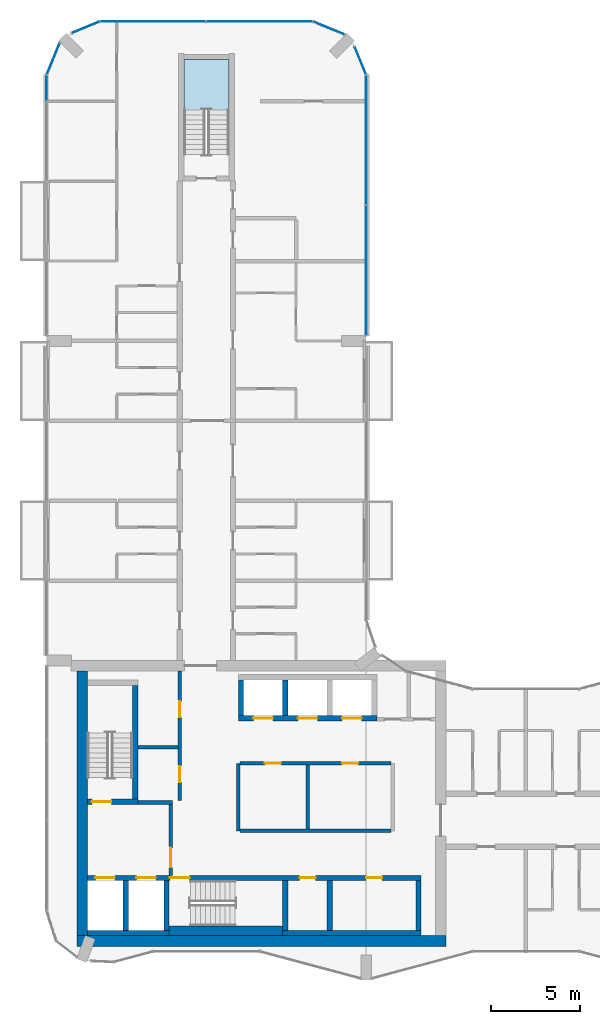
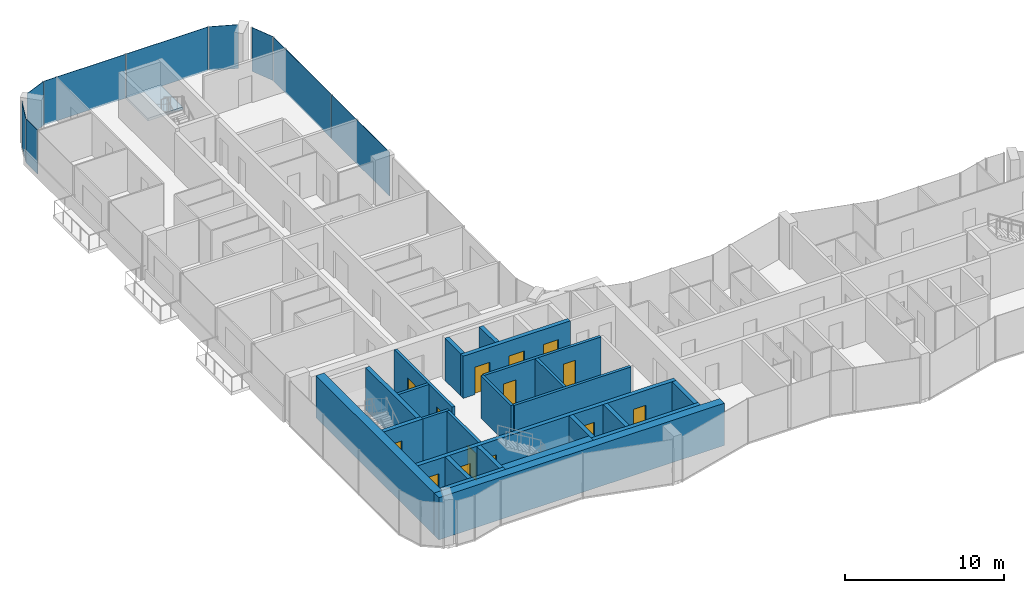
# One storey, part 9 of 16: 24 walls, 14 doors, 9 plates, 1 slab, 14 openings, 8 elements without a shape of their own.
"""IFC4 building model written with IfcOpenShell, lengths in metres."""

from ifc_helpers import new_model, si_unit, direction, frame, frame_2d, origin, origin_2d, place, context, subcontext, project, spatial, polyline, rectangle, outline, extrude, material, layer, layer_set, type_object, element, fill, aggregate, save


model = new_model("IFC4")

# Units and contexts
model_context = context("Model", 3, precision=1e-05, world=origin(), true_north=direction((0.0, 1.0)))
body_context = subcontext(model_context, "Body", "Model", "MODEL_VIEW")
ifc_project = project(units=[si_unit("LENGTHUNIT", "METRE"), si_unit("AREAUNIT", "SQUARE_METRE"), si_unit("VOLUMEUNIT", "CUBIC_METRE"), si_unit("PLANEANGLEUNIT", "RADIAN"), si_unit("MASSUNIT", "GRAM", prefix="KILO")], contexts=[model_context])

# Site, building, storey
site_placement = place(None, origin())
site = spatial("IfcSite", under=ifc_project, at=site_placement, CompositionType="ELEMENT")
building_placement = place(site_placement, origin())
building = spatial("IfcBuilding", under=site, at=building_placement, Name="Plateau Cross Towers", CompositionType="ELEMENT")
storey_placement = place(building_placement, frame((0.0, 0.0, 163.89990234375)))
storey = spatial("IfcBuildingStorey", under=building, at=storey_placement, Name="L42", CompositionType="ELEMENT", Elevation=163.89990234375)

# Curtain wall, plates
ifc_material_1 = material(Name="Dark low-iron glass", Category="glass")
ifc_layer_1 = layer(ifc_material_1, 0.239990234375)
ifc_layer_set_1 = layer_set([ifc_layer_1], Name="Dark low-iron glass")
curtain_wall_type = type_object("IfcCurtainWallType", Name="Curtain wall flush unitised CW-B", PredefinedType="NOTDEFINED", material=ifc_layer_set_1)
curtain_wall_1_placement = place(storey_placement, origin())
curtain_wall_1 = element("IfcCurtainWall", 1, at=curtain_wall_1_placement, inside=storey, type_object=curtain_wall_type, Name="ENV/A/L42/A180_363", PredefinedType="NOTDEFINED")
ifc_layer_2 = layer(ifc_material_1, 0.031982421875)
ifc_layer_set_2 = layer_set([ifc_layer_2], Name="Dark low-iron glass")
plate_type = type_object("IfcPlateType", Name="Glass panel 32 flush unitised", PredefinedType="CURTAIN_PANEL", material=ifc_layer_set_2)
plate_1_placement = place(storey_placement, frame((18.0, 39.97509765625, -0.1298828125), z_axis=(0.0, 0.0, 1.0), x_axis=(0.0, 1.0, 0.0)))
plate_1 = element("IfcPlate", 2, at=plate_1_placement, type_object=plate_type, Name="CW-B panel 1", PredefinedType="CURTAIN_PANEL", context=body_context, shape_type="SweptSolid", body=[
    extrude(rectangle(XDim=7.2900390625, YDim=0.031982421875, at=origin_2d()), origin(), (0.0, 0.0, 1.0), 3.3798828125),
])
plate_2_placement = place(storey_placement, frame((18.0, 47.324951171875, -0.1298828125), z_axis=(0.0, 0.0, 1.0), x_axis=(0.0, 1.0, 0.0)))
plate_2 = element("IfcPlate", 3, at=plate_2_placement, type_object=plate_type, Name="CW-B panel 2", PredefinedType="CURTAIN_PANEL", context=body_context, shape_type="SweptSolid", body=[
    extrude(rectangle(XDim=7.2900390625, YDim=0.031982421875, at=origin_2d()), origin(), (0.0, 0.0, 1.0), 3.3798828125),
])
aggregate(curtain_wall_1, [plate_1, plate_2])

# Curtain wall, plate
curtain_wall_2_placement = place(storey_placement, origin())
curtain_wall_2 = element("IfcCurtainWall", 4, at=curtain_wall_2_placement, inside=storey, type_object=curtain_wall_type, Name="ENV/A/L42/A180_510", PredefinedType="NOTDEFINED")
plate_3_placement = place(storey_placement, frame((17.66943359375, 51.79833984375, -0.1298828125), z_axis=(0.0, 0.0, 1.0), x_axis=(-0.382683612978, 0.923879457699, 0.0)))
plate_3 = element("IfcPlate", 5, at=plate_3_placement, type_object=plate_type, Name="CW-B panel 1", PredefinedType="CURTAIN_PANEL", context=body_context, shape_type="SweptSolid", body=[
    extrude(rectangle(XDim=1.668212890625, YDim=0.031982421875, at=origin_2d()), origin(), (0.0, 0.0, 1.0), 3.3798828125),
])
aggregate(curtain_wall_2, [plate_3])

curtain_wall_3_placement = place(storey_placement, origin())
curtain_wall_3 = element("IfcCurtainWall", 6, at=curtain_wall_3_placement, inside=storey, type_object=curtain_wall_type, Name="ENV/A/L42/A168_533", PredefinedType="NOTDEFINED")
plate_4_placement = place(storey_placement, frame((15.90283203125, 53.6259765625, -0.1298828125), z_axis=(0.0, 0.0, 1.0), x_axis=(-0.923879457699, 0.382683612978, 0.0)))
plate_4 = element("IfcPlate", 7, at=plate_4_placement, type_object=plate_type, Name="CW-B panel 1", PredefinedType="CURTAIN_PANEL", context=body_context, shape_type="SweptSolid", body=[
    extrude(rectangle(XDim=1.894775390625, YDim=0.031982421875, at=origin_2d()), origin(), (0.0, 0.0, 1.0), 3.3798828125),
])
aggregate(curtain_wall_3, [plate_4])

# Curtain wall, plates
curtain_wall_4_placement = place(storey_placement, origin())
curtain_wall_4 = element("IfcCurtainWall", 8, at=curtain_wall_4_placement, inside=storey, type_object=curtain_wall_type, Name="ENV/A/L42/A150_540", PredefinedType="NOTDEFINED")
plate_5_placement = place(storey_placement, frame((12.0, 54.0, -0.1298828125), z_axis=(0.0, 0.0, 1.0), x_axis=(-1.0, 0.0, 0.0)))
plate_5 = element("IfcPlate", 9, at=plate_5_placement, type_object=plate_type, Name="CW-B panel 1", PredefinedType="CURTAIN_PANEL", context=body_context, shape_type="SweptSolid", body=[
    extrude(rectangle(XDim=5.93994140625, YDim=0.031982421875, at=origin_2d()), origin(), (0.0, 0.0, 1.0), 3.3798828125),
])
plate_6_placement = place(storey_placement, frame((6.0, 54.0, -0.1298828125), z_axis=(0.0, 0.0, 1.0), x_axis=(-1.0, 0.0, 0.0)))
plate_6 = element("IfcPlate", 10, at=plate_6_placement, type_object=plate_type, Name="CW-B panel 2", PredefinedType="CURTAIN_PANEL", context=body_context, shape_type="SweptSolid", body=[
    extrude(rectangle(XDim=5.93994140625, YDim=0.031982421875, at=origin_2d()), origin(), (0.0, 0.0, 1.0), 3.3798828125),
])
aggregate(curtain_wall_4, [plate_5, plate_6])

# Curtain wall, plate
curtain_wall_5_placement = place(storey_placement, origin())
curtain_wall_5 = element("IfcCurtainWall", 11, at=curtain_wall_5_placement, inside=storey, type_object=curtain_wall_type, Name="ENV/A/L42/A30_540", PredefinedType="NOTDEFINED")
plate_7_placement = place(storey_placement, frame((2.20166015625, 53.66943359375, -0.1298828125), z_axis=(0.0, 0.0, 1.0), x_axis=(-0.923879457699, -0.382683612978, 0.0)))
plate_7 = element("IfcPlate", 12, at=plate_7_placement, type_object=plate_type, Name="CW-B panel 1", PredefinedType="CURTAIN_PANEL", context=body_context, shape_type="SweptSolid", body=[
    extrude(rectangle(XDim=1.668212890625, YDim=0.031982421875, at=origin_2d()), origin(), (0.0, 0.0, 1.0), 3.3798828125),
])
aggregate(curtain_wall_5, [plate_7])

curtain_wall_6_placement = place(storey_placement, origin())
curtain_wall_6 = element("IfcCurtainWall", 13, at=curtain_wall_6_placement, inside=storey, type_object=curtain_wall_type, Name="ENV/A/L42/A7_528", PredefinedType="NOTDEFINED")
plate_8_placement = place(storey_placement, frame((0.3740234375, 51.90283203125, -0.1298828125), z_axis=(0.0, 0.0, 1.0), x_axis=(-0.382683612978, -0.923879457699, 0.0)))
plate_8 = element("IfcPlate", 14, at=plate_8_placement, type_object=plate_type, Name="CW-B panel 1", PredefinedType="CURTAIN_PANEL", context=body_context, shape_type="SweptSolid", body=[
    extrude(rectangle(XDim=1.894775390625, YDim=0.031982421875, at=origin_2d()), origin(), (0.0, 0.0, 1.0), 3.3798828125),
])
aggregate(curtain_wall_6, [plate_8])

curtain_wall_7_placement = place(storey_placement, origin())
curtain_wall_7 = element("IfcCurtainWall", 15, at=curtain_wall_7_placement, inside=storey, type_object=curtain_wall_type, Name="ENV/A/L42/A0_510", PredefinedType="NOTDEFINED")
plate_9_placement = place(storey_placement, frame((0.0, 50.25, -0.1298828125), z_axis=(0.0, 0.0, 1.0), x_axis=(0.0, -1.0, 0.0)))
plate_9 = element("IfcPlate", 16, at=plate_9_placement, type_object=plate_type, Name="CW-B panel 1", PredefinedType="CURTAIN_PANEL", context=body_context, shape_type="SweptSolid", body=[
    extrude(rectangle(XDim=1.43994140625, YDim=0.031982421875, at=origin_2d()), origin(), (0.0, 0.0, 1.0), 3.3798828125),
])
aggregate(curtain_wall_7, [plate_9])

# Stair, slab
ifc_material_2 = material(Name="Concrete C40/50", Category="concrete")
stair_type = type_object("IfcStairType", Name="ST-TWR", PredefinedType="HALF_TURN_STAIR", material=ifc_material_2)
stair_placement = place(storey_placement, origin())
stair = element("IfcStair", 17, at=stair_placement, inside=storey, type_object=stair_type, Name="L42 Protected Exit Stair N", PredefinedType="HALF_TURN_STAIR")
ifc_layer_3 = layer(ifc_material_2, 0.199951171875)
ifc_layer_set_3 = layer_set([ifc_layer_3], Name="Concrete C40/50")
slab_type = type_object("IfcSlabType", Name="SL-LANDING", PredefinedType="LANDING", material=ifc_layer_set_3)
slab_placement = place(storey_placement, frame((0.0, 0.0, 1.550048828125)))
slab = element("IfcSlab", 18, at=slab_placement, type_object=slab_type, Name="ES-N landing 1", PredefinedType="LANDING", context=body_context, shape_type="SweptSolid", body=[
    extrude(outline(polyline([(10.27490234375, 49.02001953125), (10.27490234375, 51.85009765625), (7.72509765625, 51.85009765625), (7.72509765625, 49.02001953125), (10.27490234375, 49.02001953125)])), origin(), (0.0, 0.0, 1.0), 0.199951171875),
])
aggregate(stair, [slab])

# Wall, opening, door
ifc_material_3 = material(Name="Concrete block, plastered both sides", Category="concrete")
ifc_layer_4 = layer(ifc_material_3, 0.199951171875)
ifc_layer_set_4 = layer_set([ifc_layer_4], Name="Concrete block, plastered both sides")
wall_type_1 = type_object("IfcWallType", Name="Core partition 200", PredefinedType="PARTITIONING", material=ifc_layer_set_4)
wall_1_placement = place(storey_placement, frame((7.0, 5.89990234375, 0.0), z_axis=(0.0, 0.0, 1.0), x_axis=(0.0, 1.0, 0.0)))
wall_1 = element("IfcWall", 19, at=wall_1_placement, inside=storey, type_object=wall_type_1, Name="Core partition", PredefinedType="PARTITIONING", context=body_context, shape_type="SweptSolid", body=[
    extrude(rectangle(XDim=4.0, YDim=0.199951171875, at=frame_2d((2.0, 0.0))), origin(), (0.0, 0.0, 1.0), 3.25),
])
opening_1_placement = place(wall_1_placement, frame((0.449951171875, 0.0, 0.0)))
opening_1 = element("IfcOpeningElement", 20, at=opening_1_placement, cuts=wall_1, Name="Opening FFD", PredefinedType="OPENING", context=body_context, shape_type="SweptSolid", body=[
    extrude(rectangle(XDim=1.10009765625, YDim=2.10009765625, at=frame_2d((0.550048828125, 1.050048828125))), frame((0.0, 0.10986328125, 0.0), z_axis=(0.0, -1.0, 0.0), x_axis=(1.0, 0.0, 0.0)), (0.0, 0.0, 1.0), 0.219970703125),
])
ifc_material_4 = material(Name="Steel, fire-resisting leaf", Category="steel")
door_type_1 = type_object("IfcDoorType", Name="Firefighting lobby door 1100", OperationType="NOTDEFINED", PredefinedType="DOOR", material=ifc_material_4)
door_1_placement = place(opening_1_placement, origin())
door_1 = element("IfcDoor", 21, at=door_1_placement, inside=storey, type_object=door_type_1, Name="Firefighting lobby door FFD", OperationType="SINGLE_SWING_LEFT", OverallHeight=2.10009765625, OverallWidth=1.10009765625, PredefinedType="DOOR", context=body_context, shape_type="SweptSolid", body=[
    extrude(rectangle(XDim=1.10009765625, YDim=2.10009765625, at=frame_2d((0.550048828125, 1.050048828125))), frame((0.0, 0.02490234375, 0.0), z_axis=(0.0, -1.0, 0.0), x_axis=(1.0, 0.0, 0.0)), (0.0, 0.0, 1.0), 0.050048828125),
])
fill(opening_1, door_1)

# Walls
wall_2_placement = place(storey_placement, frame((5.14990234375, 10.0, 0.0), z_axis=(0.0, 0.0, 1.0), x_axis=(1.0, 0.0, 0.0)))
element("IfcWall", 22, at=wall_2_placement, inside=storey, type_object=wall_type_1, Name="Core partition", PredefinedType="PARTITIONING", context=body_context, shape_type="SweptSolid", body=[
    extrude(rectangle(XDim=1.9501953125, YDim=0.199951171875, at=frame_2d((0.97509765625, 0.0))), origin(), (0.0, 0.0, 1.0), 3.25),
])
wall_3_placement = place(storey_placement, frame((10.800048828125, 8.39990234375, 0.0), z_axis=(0.0, 0.0, 1.0), x_axis=(0.0, 1.0, 0.0)))
element("IfcWall", 23, at=wall_3_placement, inside=storey, type_object=wall_type_1, Name="Core partition", PredefinedType="PARTITIONING", context=body_context, shape_type="SweptSolid", body=[
    extrude(rectangle(XDim=3.800048828125, YDim=0.199951171875, at=frame_2d((1.89990234375, 0.0))), origin(), (0.0, 0.0, 1.0), 3.25),
])
wall_4_placement = place(storey_placement, frame((10.89990234375, 8.39990234375, 0.0), z_axis=(0.0, 0.0, 1.0), x_axis=(1.0, 0.0, 0.0)))
element("IfcWall", 24, at=wall_4_placement, inside=storey, type_object=wall_type_1, Name="Core partition", PredefinedType="PARTITIONING", context=body_context, shape_type="SweptSolid", body=[
    extrude(rectangle(XDim=8.5, YDim=0.199951171875, at=frame_2d((4.25, 0.0))), origin(), (0.0, 0.0, 1.0), 3.25),
])

# Wall, openings, doors
wall_5_placement = place(storey_placement, frame((10.89990234375, 12.199951171875, 0.0), z_axis=(0.0, 0.0, 1.0), x_axis=(1.0, 0.0, 0.0)))
wall_5 = element("IfcWall", 25, at=wall_5_placement, inside=storey, type_object=wall_type_1, Name="Core partition", PredefinedType="PARTITIONING", context=body_context, shape_type="SweptSolid", body=[
    extrude(rectangle(XDim=8.5, YDim=0.199951171875, at=frame_2d((4.25, 0.0))), origin(), (0.0, 0.0, 1.0), 3.25),
])
opening_2_placement = place(wall_5_placement, frame((1.39990234375, 0.0, 0.0)))
opening_2 = element("IfcOpeningElement", 26, at=opening_2_placement, cuts=wall_5, Name="Opening RD1", PredefinedType="OPENING", context=body_context, shape_type="SweptSolid", body=[
    extrude(rectangle(XDim=0.89990234375, YDim=2.10009765625, at=frame_2d((0.449951171875, 1.050048828125))), frame((0.0, 0.10986328125, 0.0), z_axis=(0.0, -1.0, 0.0), x_axis=(1.0, 0.0, 0.0)), (0.0, 0.0, 1.0), 0.219970703125),
])
opening_3_placement = place(wall_5_placement, frame((5.75, 0.0, 0.0)))
opening_3 = element("IfcOpeningElement", 27, at=opening_3_placement, cuts=wall_5, Name="Opening RD1", PredefinedType="OPENING", context=body_context, shape_type="SweptSolid", body=[
    extrude(rectangle(XDim=0.89990234375, YDim=2.10009765625, at=frame_2d((0.449951171875, 1.050048828125))), frame((0.0, 0.10986328125, 0.0), z_axis=(0.0, -1.0, 0.0), x_axis=(1.0, 0.0, 0.0)), (0.0, 0.0, 1.0), 0.219970703125),
])
ifc_material_5 = material(Name="Timber, fire-resisting leaf", Category="wood")
door_type_2 = type_object("IfcDoorType", Name="Core service door 900", OperationType="NOTDEFINED", PredefinedType="DOOR", material=ifc_material_5)
door_2_placement = place(opening_2_placement, origin())
door_2 = element("IfcDoor", 28, at=door_2_placement, inside=storey, type_object=door_type_2, Name="Core service door RD1", OperationType="SINGLE_SWING_LEFT", OverallHeight=2.10009765625, OverallWidth=0.89990234375, PredefinedType="DOOR", context=body_context, shape_type="SweptSolid", body=[
    extrude(rectangle(XDim=0.89990234375, YDim=2.10009765625, at=frame_2d((0.449951171875, 1.050048828125))), frame((0.0, 0.02490234375, 0.0), z_axis=(0.0, -1.0, 0.0), x_axis=(1.0, 0.0, 0.0)), (0.0, 0.0, 1.0), 0.050048828125),
])
fill(opening_2, door_2)
door_3_placement = place(opening_3_placement, origin())
door_3 = element("IfcDoor", 29, at=door_3_placement, inside=storey, type_object=door_type_2, Name="Core service door RD1", OperationType="SINGLE_SWING_LEFT", OverallHeight=2.10009765625, OverallWidth=0.89990234375, PredefinedType="DOOR", context=body_context, shape_type="SweptSolid", body=[
    extrude(rectangle(XDim=0.89990234375, YDim=2.10009765625, at=frame_2d((0.449951171875, 1.050048828125))), frame((0.0, 0.02490234375, 0.0), z_axis=(0.0, -1.0, 0.0), x_axis=(1.0, 0.0, 0.0)), (0.0, 0.0, 1.0), 0.050048828125),
])
fill(opening_3, door_3)

# Wall
wall_6_placement = place(storey_placement, frame((14.699951171875, 8.5, 0.0), z_axis=(0.0, 0.0, 1.0), x_axis=(0.0, 1.0, 0.0)))
element("IfcWall", 30, at=wall_6_placement, inside=storey, type_object=wall_type_1, Name="Core partition", PredefinedType="PARTITIONING", context=body_context, shape_type="SweptSolid", body=[
    extrude(rectangle(XDim=3.60009765625, YDim=0.199951171875, at=frame_2d((1.800048828125, 0.0))), origin(), (0.0, 0.0, 1.0), 3.25),
])

# Wall, openings, doors
wall_7_placement = place(storey_placement, frame((7.5, 10.10009765625, 0.0), z_axis=(0.0, 0.0, 1.0), x_axis=(0.0, 1.0, 0.0)))
wall_7 = element("IfcWall", 31, at=wall_7_placement, inside=storey, type_object=wall_type_1, Name="Core partition", PredefinedType="PARTITIONING", context=body_context, shape_type="SweptSolid", body=[
    extrude(rectangle(XDim=7.2998046875, YDim=0.199951171875, at=frame_2d((3.64990234375, 0.0))), origin(), (0.0, 0.0, 1.0), 3.25),
])
opening_4_placement = place(wall_7_placement, frame((1.050048828125, 0.0, 0.0)))
opening_4 = element("IfcOpeningElement", 32, at=opening_4_placement, cuts=wall_7, Name="Opening RD1", PredefinedType="OPENING", context=body_context, shape_type="SweptSolid", body=[
    extrude(rectangle(XDim=0.89990234375, YDim=2.10009765625, at=frame_2d((0.449951171875, 1.050048828125))), frame((0.0, 0.10986328125, 0.0), z_axis=(0.0, -1.0, 0.0), x_axis=(1.0, 0.0, 0.0)), (0.0, 0.0, 1.0), 0.219970703125),
])
opening_5_placement = place(wall_7_placement, frame((4.699951171875, 0.0, 0.0)))
opening_5 = element("IfcOpeningElement", 33, at=opening_5_placement, cuts=wall_7, Name="Opening RD1", PredefinedType="OPENING", context=body_context, shape_type="SweptSolid", body=[
    extrude(rectangle(XDim=0.89990234375, YDim=2.10009765625, at=frame_2d((0.449951171875, 1.050048828125))), frame((0.0, 0.10986328125, 0.0), z_axis=(0.0, -1.0, 0.0), x_axis=(1.0, 0.0, 0.0)), (0.0, 0.0, 1.0), 0.219970703125),
])
door_4_placement = place(opening_4_placement, origin())
door_4 = element("IfcDoor", 34, at=door_4_placement, inside=storey, type_object=door_type_2, Name="Core service door RD1", OperationType="SINGLE_SWING_RIGHT", OverallHeight=2.10009765625, OverallWidth=0.89990234375, PredefinedType="DOOR", context=body_context, shape_type="SweptSolid", body=[
    extrude(rectangle(XDim=0.89990234375, YDim=2.10009765625, at=frame_2d((0.449951171875, 1.050048828125))), frame((0.0, 0.02490234375, 0.0), z_axis=(0.0, -1.0, 0.0), x_axis=(1.0, 0.0, 0.0)), (0.0, 0.0, 1.0), 0.050048828125),
])
fill(opening_4, door_4)
door_5_placement = place(opening_5_placement, origin())
door_5 = element("IfcDoor", 35, at=door_5_placement, inside=storey, type_object=door_type_2, Name="Core service door RD1", OperationType="SINGLE_SWING_RIGHT", OverallHeight=2.10009765625, OverallWidth=0.89990234375, PredefinedType="DOOR", context=body_context, shape_type="SweptSolid", body=[
    extrude(rectangle(XDim=0.89990234375, YDim=2.10009765625, at=frame_2d((0.449951171875, 1.050048828125))), frame((0.0, 0.02490234375, 0.0), z_axis=(0.0, -1.0, 0.0), x_axis=(1.0, 0.0, 0.0)), (0.0, 0.0, 1.0), 0.050048828125),
])
fill(opening_5, door_5)

# Walls
wall_8_placement = place(storey_placement, frame((5.14990234375, 13.10009765625, 0.0), z_axis=(0.0, 0.0, 1.0), x_axis=(1.0, 0.0, 0.0)))
element("IfcWall", 36, at=wall_8_placement, inside=storey, type_object=wall_type_1, Name="Core partition", PredefinedType="PARTITIONING", context=body_context, shape_type="SweptSolid", body=[
    extrude(rectangle(XDim=2.25, YDim=0.199951171875, at=frame_2d((1.125, 0.0))), origin(), (0.0, 0.0, 1.0), 3.25),
])
ifc_material_6 = material(Name="Concrete C60/75", Category="concrete")
ifc_layer_5 = layer(ifc_material_6, 0.300048828125)
ifc_layer_set_5 = layer_set([ifc_layer_5], Name="Concrete C60/75")
wall_type_2 = type_object("IfcWallType", Name="Core shaft wall 300", PredefinedType="SHEAR", material=ifc_layer_set_5)
wall_9_placement = place(storey_placement, frame((2.300048828125, 2.64990234375, 0.0), z_axis=(0.0, 0.0, 1.0), x_axis=(1.0, 0.0, 0.0)))
element("IfcWall", 37, at=wall_9_placement, inside=storey, type_object=wall_type_2, Name="A-sb-back1@L42", PredefinedType="SHEAR", context=body_context, shape_type="SweptSolid", body=[
    extrude(rectangle(XDim=4.599853515625, YDim=0.300048828125, at=frame_2d((2.2998046875, 0.0))), origin(), (0.0, 0.0, 1.0), 3.25),
])
wall_10_placement = place(storey_placement, frame((13.300048828125, 2.64990234375, 0.0), z_axis=(0.0, 0.0, 1.0), x_axis=(1.0, 0.0, 0.0)))
element("IfcWall", 38, at=wall_10_placement, inside=storey, type_object=wall_type_2, Name="A-sb-back3@L42", PredefinedType="SHEAR", context=body_context, shape_type="SweptSolid", body=[
    extrude(rectangle(XDim=7.800048828125, YDim=0.300048828125, at=frame_2d((3.89990234375, 0.0))), origin(), (0.0, 0.0, 1.0), 3.25),
])
for number, where, z_axis, x_axis, name in (
    (39, (4.449951171875, 2.800048828125, 0.0), (0.0, 0.0, 1.0), (0.0, 1.0, 0.0), "A-sb-v1@L42"),
    (40, (6.75, 2.800048828125, 0.0), (0.0, 0.0, 1.0), (0.0, 1.0, 0.0), "A-sb-v2@L42"),
    (41, (13.449951171875, 2.800048828125, 0.0), (0.0, 0.0, 1.0), (0.0, 1.0, 0.0), "A-sb-v3@L42"),
    (42, (15.949951171875, 2.800048828125, 0.0), (0.0, 0.0, 1.0), (0.0, 1.0, 0.0), "A-sb-v4@L42"),
    (43, (20.949951171875, 2.800048828125, 0.0), (0.0, 0.0, 1.0), (0.0, 1.0, 0.0), "A-sb-v6@L42"),
):
    element("IfcWall", number, at=place(storey_placement, frame(where, z_axis=z_axis, x_axis=x_axis)), inside=storey, type_object=wall_type_2, Name=name, PredefinedType="SHEAR", context=body_context, shape_type="SweptSolid", body=[
        extrude(rectangle(XDim=2.800048828125, YDim=0.300048828125, at=frame_2d((1.39990234375, 0.0))), origin(), (0.0, 0.0, 1.0), 3.25),
    ])

# Wall, openings, doors
wall_11_placement = place(storey_placement, frame((2.300048828125, 5.75, 0.0), z_axis=(0.0, 0.0, 1.0), x_axis=(1.0, 0.0, 0.0)))
wall_11 = element("IfcWall", 44, at=wall_11_placement, inside=storey, type_object=wall_type_2, Name="A-sb-front@L42", PredefinedType="SHEAR", context=body_context, shape_type="SweptSolid", body=[
    extrude(rectangle(XDim=18.800048828125, YDim=0.300048828125, at=frame_2d((9.39990234375, 0.0))), origin(), (0.0, 0.0, 1.0), 3.25),
])
opening_6_placement = place(wall_11_placement, frame((4.64990234375, 0.0, 0.0)))
opening_6 = element("IfcOpeningElement", 45, at=opening_6_placement, cuts=wall_11, Name="Opening SD", PredefinedType="OPENING", context=body_context, shape_type="SweptSolid", body=[
    extrude(rectangle(XDim=1.10009765625, YDim=2.10009765625, at=frame_2d((0.550048828125, 1.050048828125))), frame((0.0, 0.159912109375, 0.0), z_axis=(0.0, -1.0, 0.0), x_axis=(1.0, 0.0, 0.0)), (0.0, 0.0, 1.0), 0.320068359375),
])
opening_7_placement = place(wall_11_placement, frame((0.449951171875, 0.0, 0.0)))
opening_7 = element("IfcOpeningElement", 46, at=opening_7_placement, cuts=wall_11, Name="Opening LD", PredefinedType="OPENING", context=body_context, shape_type="SweptSolid", body=[
    extrude(rectangle(XDim=1.10009765625, YDim=2.10009765625, at=frame_2d((0.550048828125, 1.050048828125))), frame((0.0, 0.159912109375, 0.0), z_axis=(0.0, -1.0, 0.0), x_axis=(1.0, 0.0, 0.0)), (0.0, 0.0, 1.0), 0.320068359375),
])
opening_8_placement = place(wall_11_placement, frame((2.75, 0.0, 0.0)))
opening_8 = element("IfcOpeningElement", 47, at=opening_8_placement, cuts=wall_11, Name="Opening LD", PredefinedType="OPENING", context=body_context, shape_type="SweptSolid", body=[
    extrude(rectangle(XDim=1.10009765625, YDim=2.10009765625, at=frame_2d((0.550048828125, 1.050048828125))), frame((0.0, 0.159912109375, 0.0), z_axis=(0.0, -1.0, 0.0), x_axis=(1.0, 0.0, 0.0)), (0.0, 0.0, 1.0), 0.320068359375),
])
opening_9_placement = place(wall_11_placement, frame((11.949951171875, 0.0, 0.0)))
opening_9 = element("IfcOpeningElement", 48, at=opening_9_placement, cuts=wall_11, Name="Opening RD2", PredefinedType="OPENING", context=body_context, shape_type="SweptSolid", body=[
    extrude(rectangle(XDim=0.89990234375, YDim=2.10009765625, at=frame_2d((0.449951171875, 1.050048828125))), frame((0.0, 0.159912109375, 0.0), z_axis=(0.0, -1.0, 0.0), x_axis=(1.0, 0.0, 0.0)), (0.0, 0.0, 1.0), 0.320068359375),
])
opening_10_placement = place(wall_11_placement, frame((15.699951171875, 0.0, 0.0)))
opening_10 = element("IfcOpeningElement", 49, at=opening_10_placement, cuts=wall_11, Name="Opening RD2", PredefinedType="OPENING", context=body_context, shape_type="SweptSolid", body=[
    extrude(rectangle(XDim=0.89990234375, YDim=2.10009765625, at=frame_2d((0.449951171875, 1.050048828125))), frame((0.0, 0.159912109375, 0.0), z_axis=(0.0, -1.0, 0.0), x_axis=(1.0, 0.0, 0.0)), (0.0, 0.0, 1.0), 0.320068359375),
])
door_type_3 = type_object("IfcDoorType", Name="Core riser door 900", OperationType="NOTDEFINED", PredefinedType="DOOR", material=ifc_material_4)
door_6_placement = place(opening_9_placement, origin())
door_6 = element("IfcDoor", 50, at=door_6_placement, inside=storey, type_object=door_type_3, Name="Core riser door RD2", OperationType="SINGLE_SWING_LEFT", OverallHeight=2.10009765625, OverallWidth=0.89990234375, PredefinedType="DOOR", context=body_context, shape_type="SweptSolid", body=[
    extrude(rectangle(XDim=0.89990234375, YDim=2.10009765625, at=frame_2d((0.449951171875, 1.050048828125))), frame((0.0, 0.02490234375, 0.0), z_axis=(0.0, -1.0, 0.0), x_axis=(1.0, 0.0, 0.0)), (0.0, 0.0, 1.0), 0.050048828125),
])
fill(opening_9, door_6)
door_7_placement = place(opening_10_placement, origin())
door_7 = element("IfcDoor", 51, at=door_7_placement, inside=storey, type_object=door_type_3, Name="Core riser door RD2", OperationType="SINGLE_SWING_LEFT", OverallHeight=2.10009765625, OverallWidth=0.89990234375, PredefinedType="DOOR", context=body_context, shape_type="SweptSolid", body=[
    extrude(rectangle(XDim=0.89990234375, YDim=2.10009765625, at=frame_2d((0.449951171875, 1.050048828125))), frame((0.0, 0.02490234375, 0.0), z_axis=(0.0, -1.0, 0.0), x_axis=(1.0, 0.0, 0.0)), (0.0, 0.0, 1.0), 0.050048828125),
])
fill(opening_10, door_7)
ifc_material_7 = material(Name="Stainless steel, fire-resisting sliding leaves", Category="steel")
door_type_4 = type_object("IfcDoorType", Name="Lift landing door 1100", OperationType="NOTDEFINED", PredefinedType="DOOR", material=ifc_material_7)
door_8_placement = place(opening_7_placement, origin())
door_8 = element("IfcDoor", 52, at=door_8_placement, inside=storey, type_object=door_type_4, Name="Lift landing door LD", OperationType="DOUBLE_DOOR_SLIDING", OverallHeight=2.10009765625, OverallWidth=1.10009765625, PredefinedType="DOOR", context=body_context, shape_type="SweptSolid", body=[
    extrude(rectangle(XDim=1.10009765625, YDim=2.10009765625, at=frame_2d((0.550048828125, 1.050048828125))), frame((0.0, 0.02490234375, 0.0), z_axis=(0.0, -1.0, 0.0), x_axis=(1.0, 0.0, 0.0)), (0.0, 0.0, 1.0), 0.050048828125),
])
fill(opening_7, door_8)
door_9_placement = place(opening_8_placement, origin())
door_9 = element("IfcDoor", 53, at=door_9_placement, inside=storey, type_object=door_type_4, Name="Lift landing door LD", OperationType="DOUBLE_DOOR_SLIDING", OverallHeight=2.10009765625, OverallWidth=1.10009765625, PredefinedType="DOOR", context=body_context, shape_type="SweptSolid", body=[
    extrude(rectangle(XDim=1.10009765625, YDim=2.10009765625, at=frame_2d((0.550048828125, 1.050048828125))), frame((0.0, 0.02490234375, 0.0), z_axis=(0.0, -1.0, 0.0), x_axis=(1.0, 0.0, 0.0)), (0.0, 0.0, 1.0), 0.050048828125),
])
fill(opening_8, door_9)
door_type_5 = type_object("IfcDoorType", Name="Stair door 1100", OperationType="NOTDEFINED", PredefinedType="DOOR", material=ifc_material_4)
door_10_placement = place(opening_6_placement, origin())
door_10 = element("IfcDoor", 54, at=door_10_placement, inside=storey, type_object=door_type_5, Name="Stair door SD", OperationType="SINGLE_SWING_LEFT", OverallHeight=2.10009765625, OverallWidth=1.10009765625, PredefinedType="DOOR", context=body_context, shape_type="SweptSolid", body=[
    extrude(rectangle(XDim=1.10009765625, YDim=2.10009765625, at=frame_2d((0.550048828125, 1.050048828125))), frame((0.0, 0.02490234375, 0.0), z_axis=(0.0, -1.0, 0.0), x_axis=(1.0, 0.0, 0.0)), (0.0, 0.0, 1.0), 0.050048828125),
])
fill(opening_6, door_10)

# Wall, opening, door
wall_12_placement = place(storey_placement, frame((2.300048828125, 10.050048828125, 0.0), z_axis=(0.0, 0.0, 1.0), x_axis=(1.0, 0.0, 0.0)))
wall_12 = element("IfcWall", 55, at=wall_12_placement, inside=storey, type_object=wall_type_2, Name="A-st1-S@L42", PredefinedType="SHEAR", context=body_context, shape_type="SweptSolid", body=[
    extrude(rectangle(XDim=2.849853515625, YDim=0.300048828125, at=frame_2d((1.4248046875, 0.0))), origin(), (0.0, 0.0, 1.0), 3.25),
])
opening_11_placement = place(wall_12_placement, frame((0.25, 0.0, 0.0)))
opening_11 = element("IfcOpeningElement", 56, at=opening_11_placement, cuts=wall_12, Name="Opening SD", PredefinedType="OPENING", context=body_context, shape_type="SweptSolid", body=[
    extrude(rectangle(XDim=1.10009765625, YDim=2.10009765625, at=frame_2d((0.550048828125, 1.050048828125))), frame((0.0, 0.159912109375, 0.0), z_axis=(0.0, -1.0, 0.0), x_axis=(1.0, 0.0, 0.0)), (0.0, 0.0, 1.0), 0.320068359375),
])
door_11_placement = place(opening_11_placement, origin())
door_11 = element("IfcDoor", 57, at=door_11_placement, inside=storey, type_object=door_type_5, Name="Stair door SD", OperationType="SINGLE_SWING_RIGHT", OverallHeight=2.10009765625, OverallWidth=1.10009765625, PredefinedType="DOOR", context=body_context, shape_type="SweptSolid", body=[
    extrude(rectangle(XDim=1.10009765625, YDim=2.10009765625, at=frame_2d((0.550048828125, 1.050048828125))), frame((0.0, 0.02490234375, 0.0), z_axis=(0.0, -1.0, 0.0), x_axis=(1.0, 0.0, 0.0)), (0.0, 0.0, 1.0), 0.050048828125),
])
fill(opening_11, door_11)

# Wall
wall_13_placement = place(storey_placement, frame((5.0, 10.199951171875, 0.0), z_axis=(0.0, 0.0, 1.0), x_axis=(0.0, 1.0, 0.0)))
element("IfcWall", 58, at=wall_13_placement, inside=storey, type_object=wall_type_2, Name="A-st1-E@L42", PredefinedType="SHEAR", context=body_context, shape_type="SweptSolid", body=[
    extrude(rectangle(XDim=6.400146484375, YDim=0.300048828125, at=frame_2d((3.2001953125, 0.0))), origin(), (0.0, 0.0, 1.0), 3.25),
])

# Wall, openings, doors
wall_14_placement = place(storey_placement, frame((10.800048828125, 14.75, 0.0), z_axis=(0.0, 0.0, 1.0), x_axis=(1.0, 0.0, 0.0)))
wall_14 = element("IfcWall", 59, at=wall_14_placement, inside=storey, type_object=wall_type_2, Name="A-nb-front@L42", PredefinedType="SHEAR", context=body_context, shape_type="SweptSolid", body=[
    extrude(rectangle(XDim=7.800048828125, YDim=0.300048828125, at=frame_2d((3.89990234375, 0.0))), origin(), (0.0, 0.0, 1.0), 3.25),
])
opening_12_placement = place(wall_14_placement, frame((0.85009765625, 0.0, 0.0)))
opening_12 = element("IfcOpeningElement", 60, at=opening_12_placement, cuts=wall_14, Name="Opening LD", PredefinedType="OPENING", context=body_context, shape_type="SweptSolid", body=[
    extrude(rectangle(XDim=1.10009765625, YDim=2.10009765625, at=frame_2d((0.550048828125, 1.050048828125))), frame((0.0, 0.159912109375, 0.0), z_axis=(0.0, -1.0, 0.0), x_axis=(1.0, 0.0, 0.0)), (0.0, 0.0, 1.0), 0.320068359375),
])
opening_13_placement = place(wall_14_placement, frame((3.35009765625, 0.0, 0.0)))
opening_13 = element("IfcOpeningElement", 61, at=opening_13_placement, cuts=wall_14, Name="Opening LD", PredefinedType="OPENING", context=body_context, shape_type="SweptSolid", body=[
    extrude(rectangle(XDim=1.10009765625, YDim=2.10009765625, at=frame_2d((0.550048828125, 1.050048828125))), frame((0.0, 0.159912109375, 0.0), z_axis=(0.0, -1.0, 0.0), x_axis=(1.0, 0.0, 0.0)), (0.0, 0.0, 1.0), 0.320068359375),
])
opening_14_placement = place(wall_14_placement, frame((5.85009765625, 0.0, 0.0)))
opening_14 = element("IfcOpeningElement", 62, at=opening_14_placement, cuts=wall_14, Name="Opening LD", PredefinedType="OPENING", context=body_context, shape_type="SweptSolid", body=[
    extrude(rectangle(XDim=1.10009765625, YDim=2.10009765625, at=frame_2d((0.550048828125, 1.050048828125))), frame((0.0, 0.159912109375, 0.0), z_axis=(0.0, -1.0, 0.0), x_axis=(1.0, 0.0, 0.0)), (0.0, 0.0, 1.0), 0.320068359375),
])
door_12_placement = place(opening_12_placement, origin())
door_12 = element("IfcDoor", 63, at=door_12_placement, inside=storey, type_object=door_type_4, Name="Lift landing door LD", OperationType="DOUBLE_DOOR_SLIDING", OverallHeight=2.10009765625, OverallWidth=1.10009765625, PredefinedType="DOOR", context=body_context, shape_type="SweptSolid", body=[
    extrude(rectangle(XDim=1.10009765625, YDim=2.10009765625, at=frame_2d((0.550048828125, 1.050048828125))), frame((0.0, 0.02490234375, 0.0), z_axis=(0.0, -1.0, 0.0), x_axis=(1.0, 0.0, 0.0)), (0.0, 0.0, 1.0), 0.050048828125),
])
fill(opening_12, door_12)
door_13_placement = place(opening_13_placement, origin())
door_13 = element("IfcDoor", 64, at=door_13_placement, inside=storey, type_object=door_type_4, Name="Lift landing door LD", OperationType="DOUBLE_DOOR_SLIDING", OverallHeight=2.10009765625, OverallWidth=1.10009765625, PredefinedType="DOOR", context=body_context, shape_type="SweptSolid", body=[
    extrude(rectangle(XDim=1.10009765625, YDim=2.10009765625, at=frame_2d((0.550048828125, 1.050048828125))), frame((0.0, 0.02490234375, 0.0), z_axis=(0.0, -1.0, 0.0), x_axis=(1.0, 0.0, 0.0)), (0.0, 0.0, 1.0), 0.050048828125),
])
fill(opening_13, door_13)
door_14_placement = place(opening_14_placement, origin())
door_14 = element("IfcDoor", 65, at=door_14_placement, inside=storey, type_object=door_type_4, Name="Lift landing door LD", OperationType="DOUBLE_DOOR_SLIDING", OverallHeight=2.10009765625, OverallWidth=1.10009765625, PredefinedType="DOOR", context=body_context, shape_type="SweptSolid", body=[
    extrude(rectangle(XDim=1.10009765625, YDim=2.10009765625, at=frame_2d((0.550048828125, 1.050048828125))), frame((0.0, 0.02490234375, 0.0), z_axis=(0.0, -1.0, 0.0), x_axis=(1.0, 0.0, 0.0)), (0.0, 0.0, 1.0), 0.050048828125),
])
fill(opening_14, door_14)

# Walls
for number, where, z_axis, x_axis, name in (
    (66, (10.949951171875, 14.89990234375, 0.0), (0.0, 0.0, 1.0), (0.0, 1.0, 0.0), "A-nb-v1@L42"),
    (67, (13.449951171875, 14.89990234375, 0.0), (0.0, 0.0, 1.0), (0.0, 1.0, 0.0), "A-nb-v2@L42"),
):
    element("IfcWall", number, at=place(storey_placement, frame(where, z_axis=z_axis, x_axis=x_axis)), inside=storey, type_object=wall_type_2, Name=name, PredefinedType="SHEAR", context=body_context, shape_type="SweptSolid", body=[
        extrude(rectangle(XDim=2.0, YDim=0.300048828125, at=frame_2d((1.0, 0.0))), origin(), (0.0, 0.0, 1.0), 3.25),
    ])
ifc_layer_6 = layer(ifc_material_6, 0.550048828125)
ifc_layer_set_6 = layer_set([ifc_layer_6], Name="Concrete C60/75")
wall_type_3 = type_object("IfcWallType", Name="Core shaft wall 550", PredefinedType="SHEAR", material=ifc_layer_set_6)
wall_15_placement = place(storey_placement, frame((6.89990234375, 2.77490234375, 0.0), z_axis=(0.0, 0.0, 1.0), x_axis=(1.0, 0.0, 0.0)))
element("IfcWall", 68, at=wall_15_placement, inside=storey, type_object=wall_type_3, Name="A-sb-back2@L42", PredefinedType="SHEAR", context=body_context, shape_type="SweptSolid", body=[
    extrude(rectangle(XDim=6.400146484375, YDim=0.550048828125, at=frame_2d((3.2001953125, 0.0))), origin(), (0.0, 0.0, 1.0), 3.25),
])
ifc_layer_7 = layer(ifc_material_6, 0.60009765625)
ifc_layer_set_7 = layer_set([ifc_layer_7], Name="Concrete C60/75")
wall_type_4 = type_object("IfcWallType", Name="Core shell wall 600", PredefinedType="SHEAR", material=ifc_layer_set_7)
wall_16_placement = place(storey_placement, frame((1.699951171875, 2.199951171875, 0.0), z_axis=(0.0, 0.0, 1.0), x_axis=(1.0, 0.0, 0.0)))
element("IfcWall", 69, at=wall_16_placement, inside=storey, type_object=wall_type_4, Name="A-core-S@L42", PredefinedType="SHEAR", context=body_context, shape_type="SweptSolid", body=[
    extrude(rectangle(XDim=20.800048828125, YDim=0.60009765625, at=frame_2d((10.39990234375, 0.0))), origin(), (0.0, 0.0, 1.0), 3.25),
])
wall_17_placement = place(storey_placement, frame((2.0, 2.5, 0.0), z_axis=(0.0, 0.0, 1.0), x_axis=(0.0, 1.0, 0.0)))
element("IfcWall", 70, at=wall_17_placement, inside=storey, type_object=wall_type_4, Name="A-core-W@L42", PredefinedType="SHEAR", context=body_context, shape_type="SweptSolid", body=[
    extrude(rectangle(XDim=14.89990234375, YDim=0.60009765625, at=frame_2d((7.449951171875, 0.0))), origin(), (0.0, 0.0, 1.0), 3.25),
])

save(model, "model.ifc")
